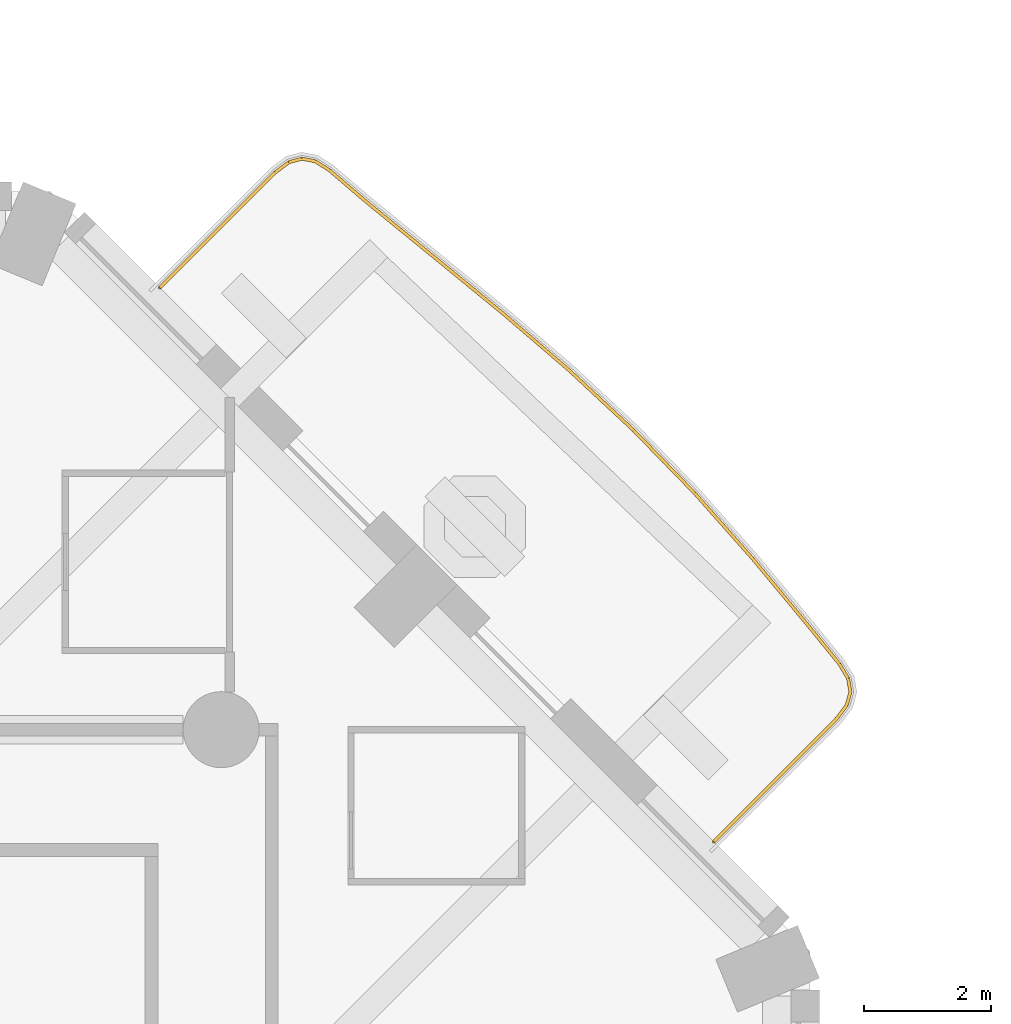
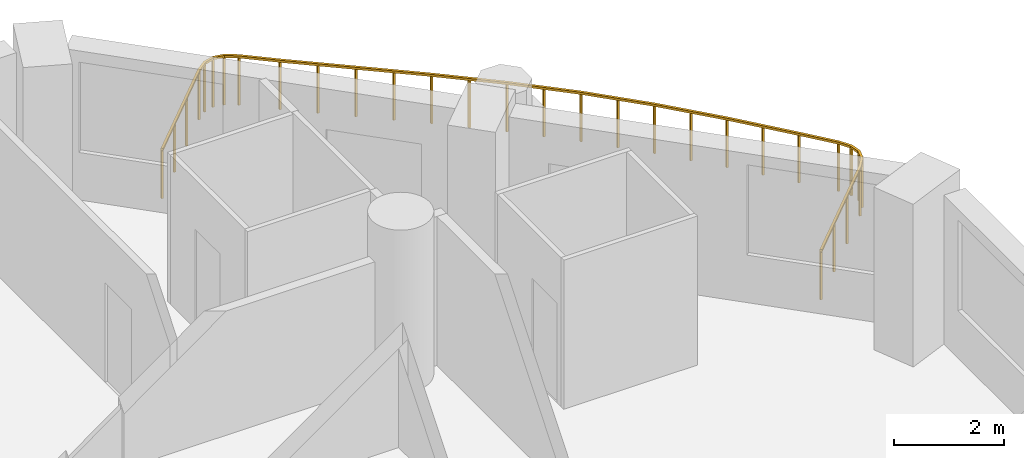
# One storey, part 19 of 20: 1 railing.
"""IFC4 building model written with IfcOpenShell, lengths in metres."""

from ifc_helpers import new_model, si_unit, direction, frame, origin, origin_2d, place, context, subcontext, project, spatial, rectangle, extrude, material, type_object, element, save


model = new_model("IFC4")

# Units and contexts
model_context = context("Model", 3, precision=1e-05, world=origin(), true_north=direction((0.0, 1.0)))
body_context = subcontext(model_context, "Body", "Model", "MODEL_VIEW")
ifc_project = project(units=[si_unit("LENGTHUNIT", "METRE"), si_unit("AREAUNIT", "SQUARE_METRE"), si_unit("VOLUMEUNIT", "CUBIC_METRE"), si_unit("PLANEANGLEUNIT", "RADIAN"), si_unit("MASSUNIT", "GRAM", prefix="KILO")], contexts=[model_context])

# Site, building, storey
site_placement = place(None, origin())
site = spatial("IfcSite", under=ifc_project, at=site_placement, CompositionType="ELEMENT")
building_placement = place(site_placement, origin())
building = spatial("IfcBuilding", under=site, at=building_placement, Name="Cypress Arch Tower", CompositionType="ELEMENT")
storey_placement = place(building_placement, frame((0.0, 0.0, 91.5)))
storey = spatial("IfcBuildingStorey", under=building, at=storey_placement, Name="L17", CompositionType="ELEMENT", Elevation=91.5)

# Railing
ifc_material = material(Name="Powder-coated steel posts and rods, 100 mm clear between rods", Category="steel")
railing_type = type_object("IfcRailingType", Name="Balcony guard GR1100", PredefinedType="GUARDRAIL", material=ifc_material)
railing_placement = place(storey_placement, frame((14.33251953125, 24.479736328125, 0.0)))
element("IfcRailing", 1, at=railing_placement, inside=storey, type_object=railing_type, Name="Balcony guard L17-A07", PredefinedType="GUARDRAIL", context=body_context, shape_type="SweptSolid", body=[
    extrude(rectangle(XDim=0.050048828125, YDim=0.050048828125, at=origin_2d()), frame((0.0, 0.0, 1.0751953125), z_axis=(0.707106781187, 0.707106781187, 0.0), x_axis=(-0.707106781187, 0.707106781187, 0.0)), (0.0, 0.0, 1.0), 2.5771484375),
    extrude(rectangle(XDim=0.050048828125, YDim=0.050048828125, at=origin_2d()), frame((1.822265625, 1.822265625, 1.0751953125), z_axis=(0.798787809241, 0.601612862069, 0.0), x_axis=(-0.601612862069, 0.798787809241, 0.0)), (0.0, 0.0, 1.0), 0.26611328125),
    extrude(rectangle(XDim=0.050048828125, YDim=0.050048828125, at=origin_2d()), frame((2.034912109375, 1.982421875, 1.0751953125), z_axis=(0.964553524108, 0.263887284898, 0.0), x_axis=(-0.263887284898, 0.964553524108, 0.0)), (0.0, 0.0, 1.0), 0.214599609375),
    extrude(rectangle(XDim=0.050048828125, YDim=0.050048828125, at=origin_2d()), frame((2.241943359375, 2.0390625, 1.0751953125), z_axis=(0.982418188489, -0.186693607083, 0.0), x_axis=(0.186693607083, 0.982418188489, 0.0)), (0.0, 0.0, 1.0), 0.21435546875),
    extrude(rectangle(XDim=0.050048828125, YDim=0.050048828125, at=origin_2d()), frame((2.45263671875, 1.9990234375, 1.0751953125), z_axis=(0.843699206123, -0.536816215839, 0.0), x_axis=(0.536816215839, 0.843699206123, 0.0)), (0.0, 0.0, 1.0), 0.2666015625),
    extrude(rectangle(XDim=0.050048828125, YDim=0.050048828125, at=origin_2d()), frame((2.677490234375, 1.85595703125, 1.0751953125), z_axis=(0.76038687079, -0.649470404815, 0.0), x_axis=(0.649470404815, 0.76038687079, 0.0)), (0.0, 0.0, 1.0), 0.761474609375),
    extrude(rectangle(XDim=0.050048828125, YDim=0.050048828125, at=origin_2d()), frame((3.256591796875, 1.361328125, 1.0751953125), z_axis=(0.774589362054, -0.632464481369, 0.0), x_axis=(0.632464481369, 0.774589362054, 0.0)), (0.0, 0.0, 1.0), 1.39306640625),
    extrude(rectangle(XDim=0.050048828125, YDim=0.050048828125, at=origin_2d()), frame((4.335693359375, 0.480224609375, 1.0751953125), z_axis=(0.774168244327, -0.632979880783, 0.0), x_axis=(0.632979880783, 0.774168244327, 0.0)), (0.0, 0.0, 1.0), 1.39208984375),
    extrude(rectangle(XDim=0.050048828125, YDim=0.050048828125, at=origin_2d()), frame((5.413330078125, -0.40087890625, 1.0751953125), z_axis=(0.75888395865, -0.651225872722, 0.0), x_axis=(0.651225872722, 0.75888395865, 0.0)), (0.0, 0.0, 1.0), 1.387939453125),
    extrude(rectangle(XDim=0.050048828125, YDim=0.050048828125, at=origin_2d()), frame((6.466552734375, -1.3046875, 1.0751953125), z_axis=(0.731366022119, -0.681985147705, 0.0), x_axis=(0.681985147705, 0.731366022119, 0.0)), (0.0, 0.0, 1.0), 1.38427734375),
    extrude(rectangle(XDim=0.050048828125, YDim=0.050048828125, at=origin_2d()), frame((7.47900390625, -2.248779296875, 1.0751953125), z_axis=(0.696796061796, -0.717269299681, 0.0), x_axis=(0.717269299681, 0.696796061796, 0.0)), (0.0, 0.0, 1.0), 1.38330078125),
    extrude(rectangle(XDim=0.050048828125, YDim=0.050048828125, at=origin_2d()), frame((8.44287109375, -3.240966796875, 1.0751953125), z_axis=(0.663105740178, -0.748525735925, 0.0), x_axis=(0.748525735925, 0.663105740178, 0.0)), (0.0, 0.0, 1.0), 1.38623046875),
    extrude(rectangle(XDim=0.050048828125, YDim=0.050048828125, at=origin_2d()), frame((9.362060546875, -4.278564453125, 1.0751953125), z_axis=(0.638767142715, -0.769400115277, 0.0), x_axis=(0.769400115277, 0.638767142715, 0.0)), (0.0, 0.0, 1.0), 1.390380859375),
    extrude(rectangle(XDim=0.050048828125, YDim=0.050048828125, at=origin_2d()), frame((10.250244140625, -5.348388671875, 1.0751953125), z_axis=(0.630496180097, -0.776192351729, 0.0), x_axis=(0.776192351729, 0.630496180097, 0.0)), (0.0, 0.0, 1.0), 0.762451171875),
    extrude(rectangle(XDim=0.050048828125, YDim=0.050048828125, at=origin_2d()), frame((10.73095703125, -5.940185546875, 1.0751953125), z_axis=(0.516101143254, -0.856527646916, 0.0), x_axis=(0.856527646916, 0.516101143254, 0.0)), (0.0, 0.0, 1.0), 0.268310546875),
    extrude(rectangle(XDim=0.050048828125, YDim=0.050048828125, at=origin_2d()), frame((10.869384765625, -6.169921875, 1.0751953125), z_axis=(0.170394914413, -0.985375853744, 0.0), x_axis=(0.985375853744, 0.170394914413, 0.0)), (0.0, 0.0, 1.0), 0.2177734375),
    extrude(rectangle(XDim=0.050048828125, YDim=0.050048828125, at=origin_2d()), frame((10.906494140625, -6.384521484375, 1.0751953125), z_axis=(-0.269837570952, -0.962905854849, 0.0), x_axis=(0.962905854849, -0.269837570952, 0.0)), (0.0, 0.0, 1.0), 0.218017578125),
    extrude(rectangle(XDim=0.050048828125, YDim=0.050048828125, at=origin_2d()), frame((10.84765625, -6.594482421875, 1.0751953125), z_axis=(-0.602910389094, -0.797808913665, 0.0), x_axis=(0.797808913665, -0.602910389094, 0.0)), (0.0, 0.0, 1.0), 0.26806640625),
    extrude(rectangle(XDim=0.050048828125, YDim=0.050048828125, at=origin_2d()), frame((10.68603515625, -6.808349609375, 1.0751953125), z_axis=(-0.707062260061, -0.707151299509, 0.0), x_axis=(0.707151299509, -0.707062260061, 0.0)), (0.0, 0.0, 1.0), 2.741943359375),
    extrude(rectangle(XDim=0.0400390625, YDim=0.0400390625, at=origin_2d()), origin(), (0.0, 0.0, 1.0), 1.050048828125),
    extrude(rectangle(XDim=0.0400390625, YDim=0.0400390625, at=origin_2d()), frame((0.607421875, 0.607421875, 0.0)), (0.0, 0.0, 1.0), 1.050048828125),
    extrude(rectangle(XDim=0.0400390625, YDim=0.0400390625, at=origin_2d()), frame((1.21484375, 1.21484375, 0.0)), (0.0, 0.0, 1.0), 1.050048828125),
    extrude(rectangle(XDim=0.0400390625, YDim=0.0400390625, at=origin_2d()), frame((1.822265625, 1.822265625, 0.0)), (0.0, 0.0, 1.0), 1.050048828125),
    extrude(rectangle(XDim=0.0400390625, YDim=0.0400390625, at=origin_2d()), frame((2.034912109375, 1.982421875, 0.0)), (0.0, 0.0, 1.0), 1.050048828125),
    extrude(rectangle(XDim=0.0400390625, YDim=0.0400390625, at=origin_2d()), frame((2.241943359375, 2.0390625, 0.0)), (0.0, 0.0, 1.0), 1.050048828125),
    extrude(rectangle(XDim=0.0400390625, YDim=0.0400390625, at=origin_2d()), frame((2.45263671875, 1.9990234375, 0.0)), (0.0, 0.0, 1.0), 1.050048828125),
    extrude(rectangle(XDim=0.0400390625, YDim=0.0400390625, at=origin_2d()), frame((2.677490234375, 1.85595703125, 0.0)), (0.0, 0.0, 1.0), 1.050048828125),
    extrude(rectangle(XDim=0.0400390625, YDim=0.0400390625, at=origin_2d()), frame((3.256591796875, 1.361328125, 0.0)), (0.0, 0.0, 1.0), 1.050048828125),
    extrude(rectangle(XDim=0.0400390625, YDim=0.0400390625, at=origin_2d()), frame((3.796142578125, 0.9208984375, 0.0)), (0.0, 0.0, 1.0), 1.050048828125),
    extrude(rectangle(XDim=0.0400390625, YDim=0.0400390625, at=origin_2d()), frame((4.335693359375, 0.480224609375, 0.0)), (0.0, 0.0, 1.0), 1.050048828125),
    extrude(rectangle(XDim=0.0400390625, YDim=0.0400390625, at=origin_2d()), frame((4.87451171875, 0.03955078125, 0.0)), (0.0, 0.0, 1.0), 1.050048828125),
    extrude(rectangle(XDim=0.0400390625, YDim=0.0400390625, at=origin_2d()), frame((5.413330078125, -0.40087890625, 0.0)), (0.0, 0.0, 1.0), 1.050048828125),
    extrude(rectangle(XDim=0.0400390625, YDim=0.0400390625, at=origin_2d()), frame((5.93994140625, -0.852783203125, 0.0)), (0.0, 0.0, 1.0), 1.050048828125),
    extrude(rectangle(XDim=0.0400390625, YDim=0.0400390625, at=origin_2d()), frame((6.466552734375, -1.3046875, 0.0)), (0.0, 0.0, 1.0), 1.050048828125),
    extrude(rectangle(XDim=0.0400390625, YDim=0.0400390625, at=origin_2d()), frame((6.97265625, -1.77685546875, 0.0)), (0.0, 0.0, 1.0), 1.050048828125),
    extrude(rectangle(XDim=0.0400390625, YDim=0.0400390625, at=origin_2d()), frame((7.47900390625, -2.248779296875, 0.0)), (0.0, 0.0, 1.0), 1.050048828125),
    extrude(rectangle(XDim=0.0400390625, YDim=0.0400390625, at=origin_2d()), frame((7.9609375, -2.744873046875, 0.0)), (0.0, 0.0, 1.0), 1.050048828125),
    extrude(rectangle(XDim=0.0400390625, YDim=0.0400390625, at=origin_2d()), frame((8.44287109375, -3.240966796875, 0.0)), (0.0, 0.0, 1.0), 1.050048828125),
    extrude(rectangle(XDim=0.0400390625, YDim=0.0400390625, at=origin_2d()), frame((8.90234375, -3.759765625, 0.0)), (0.0, 0.0, 1.0), 1.050048828125),
    extrude(rectangle(XDim=0.0400390625, YDim=0.0400390625, at=origin_2d()), frame((9.362060546875, -4.278564453125, 0.0)), (0.0, 0.0, 1.0), 1.050048828125),
    extrude(rectangle(XDim=0.0400390625, YDim=0.0400390625, at=origin_2d()), frame((9.80615234375, -4.8134765625, 0.0)), (0.0, 0.0, 1.0), 1.050048828125),
    extrude(rectangle(XDim=0.0400390625, YDim=0.0400390625, at=origin_2d()), frame((10.250244140625, -5.348388671875, 0.0)), (0.0, 0.0, 1.0), 1.050048828125),
    extrude(rectangle(XDim=0.0400390625, YDim=0.0400390625, at=origin_2d()), frame((10.73095703125, -5.940185546875, 0.0)), (0.0, 0.0, 1.0), 1.050048828125),
    extrude(rectangle(XDim=0.0400390625, YDim=0.0400390625, at=origin_2d()), frame((10.869384765625, -6.169921875, 0.0)), (0.0, 0.0, 1.0), 1.050048828125),
    extrude(rectangle(XDim=0.0400390625, YDim=0.0400390625, at=origin_2d()), frame((10.906494140625, -6.384521484375, 0.0)), (0.0, 0.0, 1.0), 1.050048828125),
    extrude(rectangle(XDim=0.0400390625, YDim=0.0400390625, at=origin_2d()), frame((10.84765625, -6.594482421875, 0.0)), (0.0, 0.0, 1.0), 1.050048828125),
    extrude(rectangle(XDim=0.0400390625, YDim=0.0400390625, at=origin_2d()), frame((10.68603515625, -6.808349609375, 0.0)), (0.0, 0.0, 1.0), 1.050048828125),
    extrude(rectangle(XDim=0.0400390625, YDim=0.0400390625, at=origin_2d()), frame((10.039794921875, -7.45458984375, 0.0)), (0.0, 0.0, 1.0), 1.050048828125),
    extrude(rectangle(XDim=0.0400390625, YDim=0.0400390625, at=origin_2d()), frame((9.3935546875, -8.10107421875, 0.0)), (0.0, 0.0, 1.0), 1.050048828125),
    extrude(rectangle(XDim=0.0400390625, YDim=0.0400390625, at=origin_2d()), frame((8.747314453125, -8.747314453125, 0.0)), (0.0, 0.0, 1.0), 1.050048828125),
])

save(model, "model.ifc")
